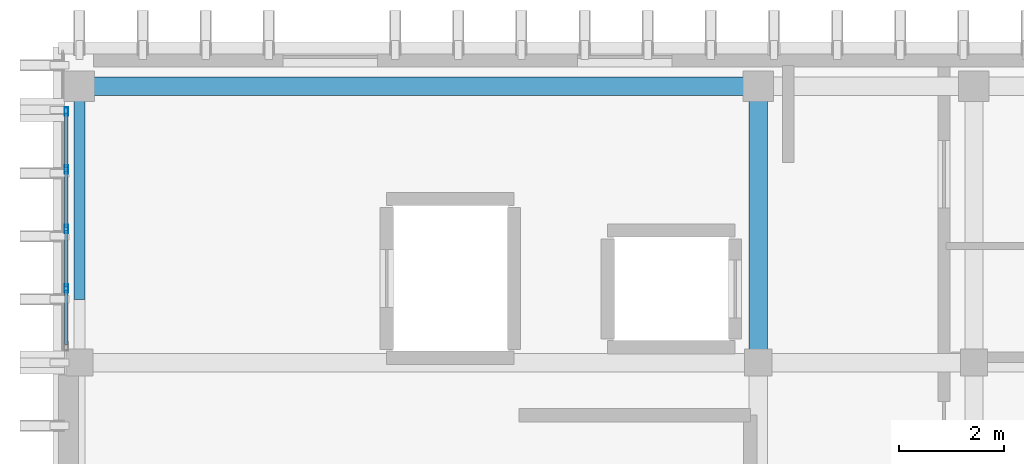
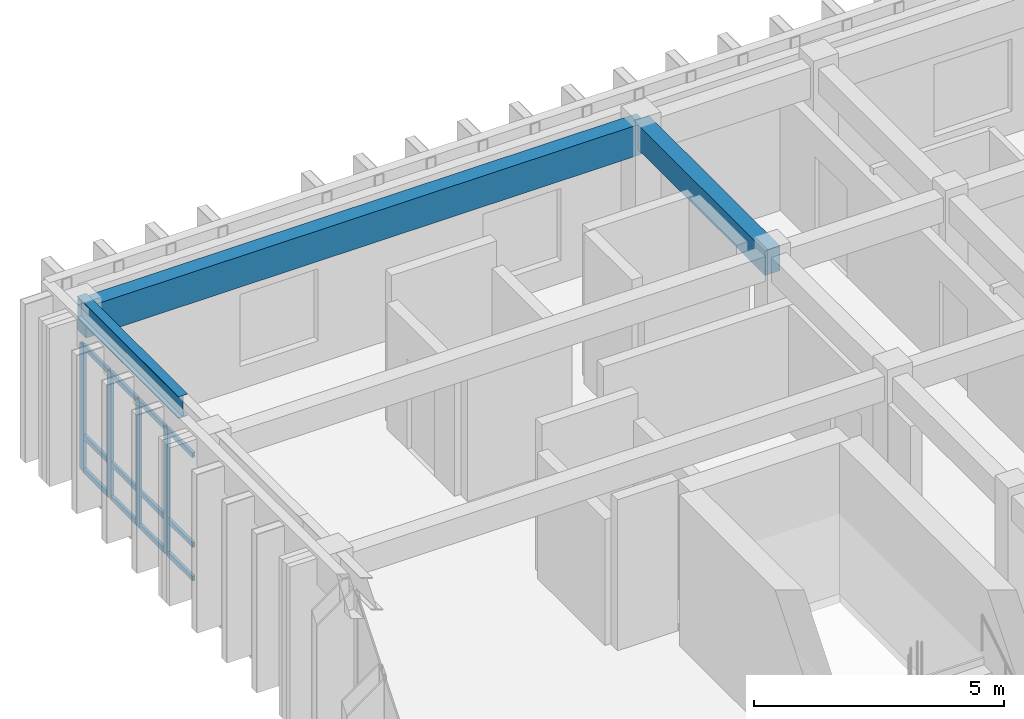
# One storey, part 30 of 49: 16 members, 3 beams, 1 element without a shape of its own.
"""IFC4 building model written with IfcOpenShell, lengths in metres."""

from ifc_helpers import new_model, si_unit, direction, frame, origin, origin_2d, place, context, subcontext, project, spatial, rectangle, hollow_rectangle, i_section, extrude, material, layer, layer_set, material_profile, profile_set, type_object, element, aggregate, save


model = new_model("IFC4")

# Units and contexts
model_context = context("Model", 3, precision=1e-05, world=origin(), true_north=direction((0.0, 1.0)))
body_context = subcontext(model_context, "Body", "Model", "MODEL_VIEW")
ifc_project = project(units=[si_unit("LENGTHUNIT", "METRE"), si_unit("AREAUNIT", "SQUARE_METRE"), si_unit("VOLUMEUNIT", "CUBIC_METRE"), si_unit("PLANEANGLEUNIT", "RADIAN"), si_unit("MASSUNIT", "GRAM", prefix="KILO")], contexts=[model_context])

# Site, building, storey
site_placement = place(None, origin())
site = spatial("IfcSite", under=ifc_project, at=site_placement, CompositionType="ELEMENT")
building_placement = place(site_placement, origin())
building = spatial("IfcBuilding", under=site, at=building_placement, Name="Nakhvara Creek Congress Hotel", CompositionType="ELEMENT")
storey_placement = place(building_placement, frame((0.0, 0.0, 46.5)))
storey = spatial("IfcBuildingStorey", under=building, at=storey_placement, Name="L11", CompositionType="ELEMENT", Elevation=46.5)

# Beams
ifc_material_1 = material(Name="Concrete C40/50", Category="concrete")
ifc_material_profile_1 = material_profile(ifc_material_1, rectangle(XDim=0.35009765625, YDim=0.60009765625, at=origin_2d()), Name="RC-BM 350x600", Category="LoadBearing")
ifc_profile_set_1 = profile_set([ifc_material_profile_1], Name="Concrete C40/50")
beam_type_1 = type_object("IfcBeamType", Name="BM-RC-350X600", PredefinedType="BEAM", material=ifc_profile_set_1)
beam_1_placement = place(storey_placement, frame((162.35009765625, 120.0, 3.3798828125), z_axis=(0.0, 1.0, 0.0), x_axis=(-1.0, 0.0, 0.0)))
element("IfcBeam", 1, at=beam_1_placement, inside=storey, type_object=beam_type_1, Name="Beam B07-L11-2744", PredefinedType="BEAM", context=body_context, shape_type="SweptSolid", body=[
    extrude(rectangle(XDim=0.35009765625, YDim=0.60009765625, at=origin_2d()), origin(), (0.0, 0.0, 1.0), 5.25),
])
ifc_material_profile_2 = material_profile(ifc_material_1, rectangle(XDim=0.35009765625, YDim=0.75, at=origin_2d()), Name="RC-SPANDREL 350x750", Category="LoadBearing")
ifc_profile_set_2 = profile_set([ifc_material_profile_2], Name="Concrete C40/50")
beam_type_2 = type_object("IfcBeamType", Name="BM-SPN-350X750", PredefinedType="SPANDREL", material=ifc_profile_set_2)
beam_2_placement = place(storey_placement, frame((149.449951171875, 125.25, 3.304931640625), z_axis=(1.0, 0.0, 0.0), x_axis=(0.0, 1.0, 0.0)))
element("IfcBeam", 2, at=beam_2_placement, inside=storey, type_object=beam_type_2, Name="Beam SP1-L11-2725", PredefinedType="SPANDREL", context=body_context, shape_type="SweptSolid", body=[
    extrude(rectangle(XDim=0.35009765625, YDim=0.75, at=origin_2d()), origin(), (0.0, 0.0, 1.0), 12.900146484375),
])
ifc_material_2 = material(Name="Steel S355J2", Category="steel")
ifc_material_profile_3 = material_profile(ifc_material_2, i_section(OverallWidth=0.209228515625, OverallDepth=0.533203125, WebThickness=0.010009765625, FlangeThickness=0.015625, FilletRadius=0.0126953125, at=origin_2d()), Name="UB 533x210x92", Category="LoadBearing")
ifc_profile_set_3 = profile_set([ifc_material_profile_3], Name="Steel S355J2")
beam_type_3 = type_object("IfcBeamType", Name="BM-ST-UB533", PredefinedType="BEAM", material=ifc_profile_set_3)
beam_3_placement = place(storey_placement, frame((149.449951171875, 121.199951171875, 3.6201171875), z_axis=(0.0, 1.0, 0.0), x_axis=(-1.0, 0.0, 0.0)))
element("IfcBeam", 3, at=beam_3_placement, inside=storey, type_object=beam_type_3, Name="Hotel Gable Eave Beam W-11", PredefinedType="BEAM", context=body_context, shape_type="SweptSolid", body=[
    extrude(i_section(OverallWidth=0.209228515625, OverallDepth=0.533203125, WebThickness=0.010009765625, FlangeThickness=0.015625, FilletRadius=0.0126953125, at=origin_2d()), origin(), (0.0, 0.0, 1.0), 4.050048828125),
])

# Curtain wall, members
ifc_material_3 = material(Name="Bronze-anodised aluminium AW-6063-T6 and double-silver low-E glass", Category="aluminium")
ifc_layer = layer(ifc_material_3, 0.199951171875)
ifc_layer_set = layer_set([ifc_layer], Name="Bronze-anodised aluminium AW-6063-T6 and double-silver low-E glass")
curtain_wall_type = type_object("IfcCurtainWallType", Name="CW-HTL-UNIT", PredefinedType="USERDEFINED", material=ifc_layer_set)
curtain_wall_placement = place(storey_placement, origin())
curtain_wall = element("IfcCurtainWall", 4, at=curtain_wall_placement, inside=storey, type_object=curtain_wall_type, Name="Curtain Wall CW347", ObjectType="UNITISED", PredefinedType="USERDEFINED")
ifc_material_4 = material(Name="Bronze-anodised aluminium AW-6063-T6", Category="aluminium")
ifc_material_profile_4 = material_profile(ifc_material_4, hollow_rectangle(XDim=0.06494140625, YDim=0.159912109375, WallThickness=0.00390625, at=origin_2d()), Name="ALU-MULL 65x160x4", Category="LoadBearing")
ifc_profile_set_4 = profile_set([ifc_material_profile_4], Name="Bronze-anodised aluminium AW-6063-T6")
member_type_1 = type_object("IfcMemberType", Name="CW-MULL-160", PredefinedType="MULLION", material=ifc_profile_set_4)
member_1_placement = place(storey_placement, frame((149.199951171875, 121.40625, 0.0), z_axis=(0.0, 0.0, 1.0), x_axis=(-1.0, 0.0, 0.0)))
member_1 = element("IfcMember", 5, at=member_1_placement, type_object=member_type_1, Name="CW347 mullion 2", PredefinedType="MULLION", context=body_context, shape_type="SweptSolid", body=[
    extrude(hollow_rectangle(XDim=0.06494140625, YDim=0.159912109375, WallThickness=0.00390625, at=origin_2d()), origin(), (0.0, 0.0, 1.0), 3.072021484375),
])
member_2_placement = place(storey_placement, frame((149.199951171875, 122.53759765625, 0.0), z_axis=(0.0, 0.0, 1.0), x_axis=(-1.0, 0.0, 0.0)))
member_2 = element("IfcMember", 6, at=member_2_placement, type_object=member_type_1, Name="CW347 mullion 3", PredefinedType="MULLION", context=body_context, shape_type="SweptSolid", body=[
    extrude(hollow_rectangle(XDim=0.06494140625, YDim=0.159912109375, WallThickness=0.00390625, at=origin_2d()), origin(), (0.0, 0.0, 1.0), 3.072021484375),
])
member_3_placement = place(storey_placement, frame((149.199951171875, 123.668701171875, 0.0), z_axis=(0.0, 0.0, 1.0), x_axis=(-1.0, 0.0, 0.0)))
member_3 = element("IfcMember", 7, at=member_3_placement, type_object=member_type_1, Name="CW347 mullion 4", PredefinedType="MULLION", context=body_context, shape_type="SweptSolid", body=[
    extrude(hollow_rectangle(XDim=0.06494140625, YDim=0.159912109375, WallThickness=0.00390625, at=origin_2d()), origin(), (0.0, 0.0, 1.0), 3.072021484375),
])
member_4_placement = place(storey_placement, frame((149.199951171875, 124.767578125, 0.0), z_axis=(0.0, 0.0, 1.0), x_axis=(-1.0, 0.0, 0.0)))
member_4 = element("IfcMember", 8, at=member_4_placement, type_object=member_type_1, Name="CW347 mullion 5", PredefinedType="MULLION", context=body_context, shape_type="SweptSolid", body=[
    extrude(hollow_rectangle(XDim=0.06494140625, YDim=0.159912109375, WallThickness=0.00390625, at=origin_2d()), origin(), (0.0, 0.0, 1.0), 3.072021484375),
])
ifc_material_profile_5 = material_profile(ifc_material_4, hollow_rectangle(XDim=0.06494140625, YDim=0.1201171875, WallThickness=0.00390625, at=origin_2d()), Name="ALU-TRAN 65x120x4", Category="LoadBearing")
ifc_profile_set_5 = profile_set([ifc_material_profile_5], Name="Bronze-anodised aluminium AW-6063-T6")
member_type_2 = type_object("IfcMemberType", Name="CW-TRAN-120", PredefinedType="USERDEFINED", material=ifc_profile_set_5)
member_5_placement = place(storey_placement, frame((149.199951171875, 120.340087890625, 0.032470703125), z_axis=(0.0, 1.0, 0.0), x_axis=(-1.0, 0.0, 0.0)))
member_5 = element("IfcMember", 9, at=member_5_placement, type_object=member_type_2, Name="CW347 transom 1.1", ObjectType="TRANSOM", PredefinedType="USERDEFINED", context=body_context, shape_type="SweptSolid", body=[
    extrude(hollow_rectangle(XDim=0.06494140625, YDim=0.1201171875, WallThickness=0.00390625, at=origin_2d()), origin(), (0.0, 0.0, 1.0), 1.03369140625),
])
member_6_placement = place(storey_placement, frame((149.199951171875, 120.340087890625, 0.85009765625), z_axis=(0.0, 1.0, 0.0), x_axis=(-1.0, 0.0, 0.0)))
member_6 = element("IfcMember", 10, at=member_6_placement, type_object=member_type_2, Name="CW347 transom 1.2", ObjectType="TRANSOM", PredefinedType="USERDEFINED", context=body_context, shape_type="SweptSolid", body=[
    extrude(hollow_rectangle(XDim=0.06494140625, YDim=0.1201171875, WallThickness=0.00390625, at=origin_2d()), origin(), (0.0, 0.0, 1.0), 1.03369140625),
])
member_7_placement = place(storey_placement, frame((149.199951171875, 120.340087890625, 3.03955078125), z_axis=(0.0, 1.0, 0.0), x_axis=(-1.0, 0.0, 0.0)))
member_7 = element("IfcMember", 11, at=member_7_placement, type_object=member_type_2, Name="CW347 transom 1.3", ObjectType="TRANSOM", PredefinedType="USERDEFINED", context=body_context, shape_type="SweptSolid", body=[
    extrude(hollow_rectangle(XDim=0.06494140625, YDim=0.1201171875, WallThickness=0.00390625, at=origin_2d()), origin(), (0.0, 0.0, 1.0), 1.03369140625),
])
member_8_placement = place(storey_placement, frame((149.199951171875, 121.438720703125, 0.032470703125), z_axis=(0.0, 1.0, 0.0), x_axis=(-1.0, 0.0, 0.0)))
member_8 = element("IfcMember", 12, at=member_8_placement, type_object=member_type_2, Name="CW347 transom 2.1", ObjectType="TRANSOM", PredefinedType="USERDEFINED", context=body_context, shape_type="SweptSolid", body=[
    extrude(hollow_rectangle(XDim=0.06494140625, YDim=0.1201171875, WallThickness=0.00390625, at=origin_2d()), origin(), (0.0, 0.0, 1.0), 1.066162109375),
])
member_9_placement = place(storey_placement, frame((149.199951171875, 121.438720703125, 0.85009765625), z_axis=(0.0, 1.0, 0.0), x_axis=(-1.0, 0.0, 0.0)))
member_9 = element("IfcMember", 13, at=member_9_placement, type_object=member_type_2, Name="CW347 transom 2.2", ObjectType="TRANSOM", PredefinedType="USERDEFINED", context=body_context, shape_type="SweptSolid", body=[
    extrude(hollow_rectangle(XDim=0.06494140625, YDim=0.1201171875, WallThickness=0.00390625, at=origin_2d()), origin(), (0.0, 0.0, 1.0), 1.066162109375),
])
member_10_placement = place(storey_placement, frame((149.199951171875, 121.438720703125, 3.03955078125), z_axis=(0.0, 1.0, 0.0), x_axis=(-1.0, 0.0, 0.0)))
member_10 = element("IfcMember", 14, at=member_10_placement, type_object=member_type_2, Name="CW347 transom 2.3", ObjectType="TRANSOM", PredefinedType="USERDEFINED", context=body_context, shape_type="SweptSolid", body=[
    extrude(hollow_rectangle(XDim=0.06494140625, YDim=0.1201171875, WallThickness=0.00390625, at=origin_2d()), origin(), (0.0, 0.0, 1.0), 1.066162109375),
])
member_11_placement = place(storey_placement, frame((149.199951171875, 122.570068359375, 0.032470703125), z_axis=(0.0, 1.0, 0.0), x_axis=(-1.0, 0.0, 0.0)))
member_11 = element("IfcMember", 15, at=member_11_placement, type_object=member_type_2, Name="CW347 transom 3.1", ObjectType="TRANSOM", PredefinedType="USERDEFINED", context=body_context, shape_type="SweptSolid", body=[
    extrude(hollow_rectangle(XDim=0.06494140625, YDim=0.1201171875, WallThickness=0.00390625, at=origin_2d()), origin(), (0.0, 0.0, 1.0), 1.066162109375),
])
member_12_placement = place(storey_placement, frame((149.199951171875, 122.570068359375, 0.85009765625), z_axis=(0.0, 1.0, 0.0), x_axis=(-1.0, 0.0, 0.0)))
member_12 = element("IfcMember", 16, at=member_12_placement, type_object=member_type_2, Name="CW347 transom 3.2", ObjectType="TRANSOM", PredefinedType="USERDEFINED", context=body_context, shape_type="SweptSolid", body=[
    extrude(hollow_rectangle(XDim=0.06494140625, YDim=0.1201171875, WallThickness=0.00390625, at=origin_2d()), origin(), (0.0, 0.0, 1.0), 1.066162109375),
])
member_13_placement = place(storey_placement, frame((149.199951171875, 122.570068359375, 3.03955078125), z_axis=(0.0, 1.0, 0.0), x_axis=(-1.0, 0.0, 0.0)))
member_13 = element("IfcMember", 17, at=member_13_placement, type_object=member_type_2, Name="CW347 transom 3.3", ObjectType="TRANSOM", PredefinedType="USERDEFINED", context=body_context, shape_type="SweptSolid", body=[
    extrude(hollow_rectangle(XDim=0.06494140625, YDim=0.1201171875, WallThickness=0.00390625, at=origin_2d()), origin(), (0.0, 0.0, 1.0), 1.066162109375),
])
member_14_placement = place(storey_placement, frame((149.199951171875, 123.701171875, 0.032470703125), z_axis=(0.0, 1.0, 0.0), x_axis=(-1.0, 0.0, 0.0)))
member_14 = element("IfcMember", 18, at=member_14_placement, type_object=member_type_2, Name="CW347 transom 4.1", ObjectType="TRANSOM", PredefinedType="USERDEFINED", context=body_context, shape_type="SweptSolid", body=[
    extrude(hollow_rectangle(XDim=0.06494140625, YDim=0.1201171875, WallThickness=0.00390625, at=origin_2d()), origin(), (0.0, 0.0, 1.0), 1.033935546875),
])
member_15_placement = place(storey_placement, frame((149.199951171875, 123.701171875, 0.85009765625), z_axis=(0.0, 1.0, 0.0), x_axis=(-1.0, 0.0, 0.0)))
member_15 = element("IfcMember", 19, at=member_15_placement, type_object=member_type_2, Name="CW347 transom 4.2", ObjectType="TRANSOM", PredefinedType="USERDEFINED", context=body_context, shape_type="SweptSolid", body=[
    extrude(hollow_rectangle(XDim=0.06494140625, YDim=0.1201171875, WallThickness=0.00390625, at=origin_2d()), origin(), (0.0, 0.0, 1.0), 1.033935546875),
])
member_16_placement = place(storey_placement, frame((149.199951171875, 123.701171875, 3.03955078125), z_axis=(0.0, 1.0, 0.0), x_axis=(-1.0, 0.0, 0.0)))
member_16 = element("IfcMember", 20, at=member_16_placement, type_object=member_type_2, Name="CW347 transom 4.3", ObjectType="TRANSOM", PredefinedType="USERDEFINED", context=body_context, shape_type="SweptSolid", body=[
    extrude(hollow_rectangle(XDim=0.06494140625, YDim=0.1201171875, WallThickness=0.00390625, at=origin_2d()), origin(), (0.0, 0.0, 1.0), 1.033935546875),
])
aggregate(curtain_wall, [member_1, member_2, member_3, member_4, member_5, member_6, member_7, member_8, member_9, member_10, member_11, member_12, member_13, member_14, member_15, member_16])

save(model, "model.ifc")
